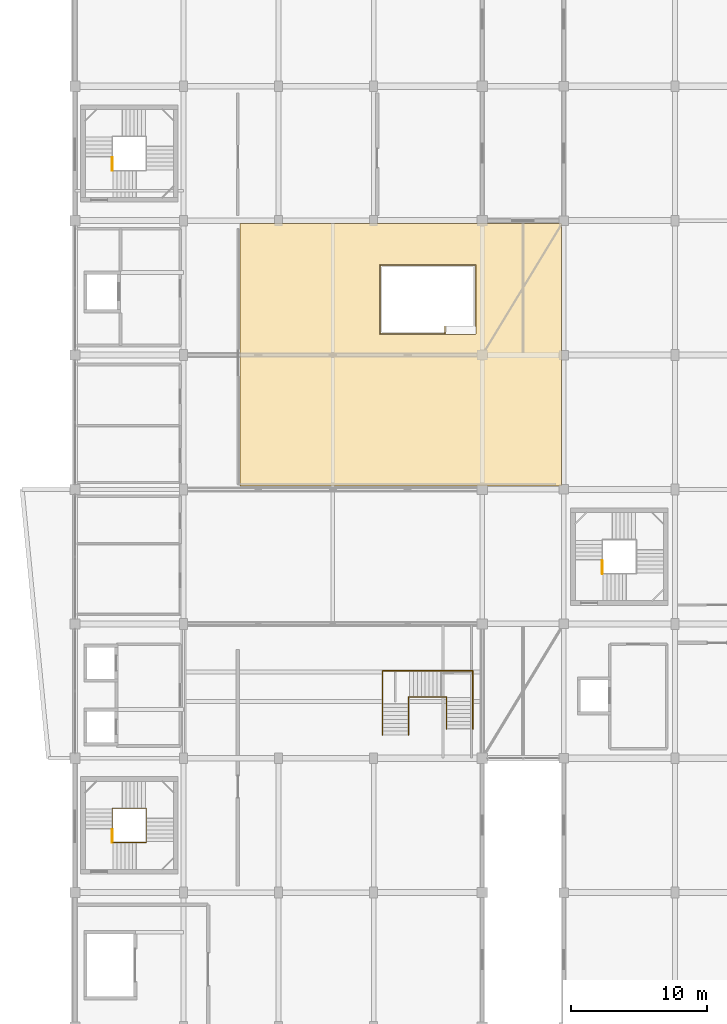
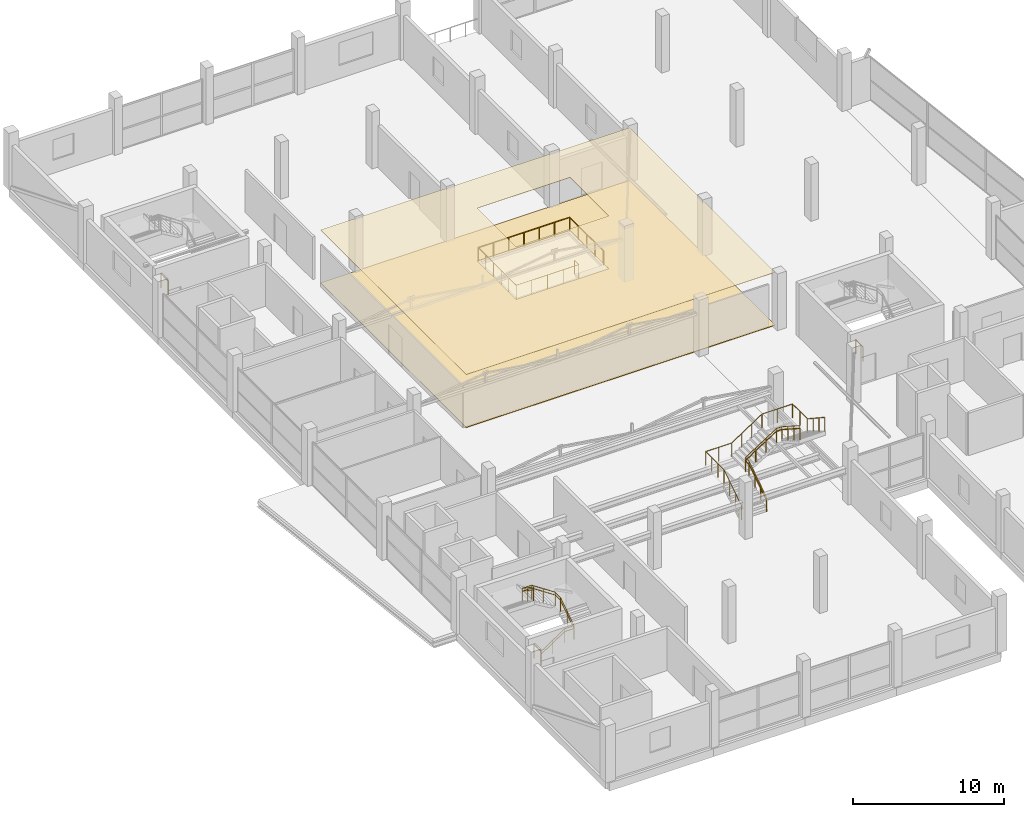
# One storey, part 54 of 55: 9 railings, 2 coverings.
"""IFC4 building model written with IfcOpenShell, lengths in metres."""

from ifc_helpers import new_model, si_unit, direction, frame, origin, origin_2d, place, context, subcontext, project, spatial, polyline, circle, outline, extrude, material, layer, layer_set, type_object, element, save


model = new_model("IFC4")

# Units and contexts
model_context = context("Model", 3, precision=1e-05, world=origin(), true_north=direction((0.0, 1.0)))
body_context = subcontext(model_context, "Body", "Model", "MODEL_VIEW")
ifc_project = project(units=[si_unit("LENGTHUNIT", "METRE"), si_unit("AREAUNIT", "SQUARE_METRE"), si_unit("VOLUMEUNIT", "CUBIC_METRE"), si_unit("PLANEANGLEUNIT", "RADIAN"), si_unit("MASSUNIT", "GRAM", prefix="KILO")], contexts=[model_context])

# Site, building, storey
site_placement = place(None, origin())
site = spatial("IfcSite", under=ifc_project, at=site_placement, CompositionType="ELEMENT")
building_placement = place(site_placement, origin())
building = spatial("IfcBuilding", under=site, at=building_placement, Name="Sillaruma Civic Art Gallery", CompositionType="ELEMENT")
storey_placement = place(building_placement, frame((0.0, 0.0, 37.739990234375)))
storey = spatial("IfcBuildingStorey", under=building, at=storey_placement, Name="L07", CompositionType="ELEMENT", Elevation=37.739990234375)

# Coverings
ifc_material_1 = material(Name="Gypsum Acoustic Board", Category="gypsum")
ifc_layer_1 = layer(ifc_material_1, 0.030029296875, Name="Gypsum Acoustic Board")
ifc_layer_set_1 = layer_set([ifc_layer_1], Name="Gypsum Acoustic Board")
covering_type_1 = type_object("IfcCoveringType", Name="COV-CLG-30", PredefinedType="CEILING", material=ifc_layer_set_1)
covering_1_placement = place(storey_placement, frame((0.0, 0.0, 4.280029296875)))
element("IfcCovering", 1, at=covering_1_placement, inside=storey, type_object=covering_type_1, Name="Acoustic Gallery Ceiling (L07-GAL71)", PredefinedType="CEILING", context=body_context, shape_type="SweptSolid", body=[
    extrude(outline(polyline([(74.159912109375, 78.989990234375), (97.840087890625, 78.989990234375), (97.840087890625, 59.659912109375), (74.159912109375, 59.659912109375), (74.159912109375, 78.989990234375)]), holes=[polyline([(91.511962890625, 70.830078125), (91.513916015625, 70.830322265625), (91.515869140625, 70.830810546875), (91.517578125, 70.83154296875), (91.519287109375, 70.83251953125), (91.52099609375, 70.83349609375), (91.522705078125, 70.83447265625), (91.524169921875, 70.8359375), (91.525390625, 70.83740234375), (91.526611328125, 70.8388671875), (91.527587890625, 70.840576171875), (91.528564453125, 70.84228515625), (91.529052734375, 70.84423828125), (91.529541015625, 70.84619140625), (91.52978515625, 70.847900390625), (91.530029296875, 70.85009765625), (91.530029296875, 75.949951171875), (91.52978515625, 75.951904296875), (91.529541015625, 75.953857421875), (91.529052734375, 75.955810546875), (91.528564453125, 75.957763671875), (91.527587890625, 75.95947265625), (91.526611328125, 75.961181640625), (91.525390625, 75.962646484375), (91.524169921875, 75.964111328125), (91.522705078125, 75.965576171875), (91.52099609375, 75.966552734375), (91.519287109375, 75.967529296875), (91.517578125, 75.968505859375), (91.515869140625, 75.968994140625), (91.513916015625, 75.969482421875), (91.511962890625, 75.969970703125), (91.510009765625, 75.969970703125), (84.449951171875, 75.969970703125), (84.447998046875, 75.969970703125), (84.446044921875, 75.969482421875), (84.444091796875, 75.968994140625), (84.4423828125, 75.968505859375), (84.440673828125, 75.967529296875), (84.43896484375, 75.966552734375), (84.437255859375, 75.965576171875), (84.435791015625, 75.964111328125), (84.4345703125, 75.962646484375), (84.433349609375, 75.961181640625), (84.432373046875, 75.95947265625), (84.431396484375, 75.957763671875), (84.430908203125, 75.955810546875), (84.430419921875, 75.953857421875), (84.43017578125, 75.951904296875), (84.429931640625, 75.949951171875), (84.429931640625, 70.85009765625), (84.43017578125, 70.847900390625), (84.430419921875, 70.84619140625), (84.430908203125, 70.84423828125), (84.431396484375, 70.84228515625), (84.432373046875, 70.840576171875), (84.433349609375, 70.8388671875), (84.4345703125, 70.83740234375), (84.435791015625, 70.8359375), (84.437255859375, 70.83447265625), (84.43896484375, 70.83349609375), (84.440673828125, 70.83251953125), (84.4423828125, 70.83154296875), (84.444091796875, 70.830810546875), (84.446044921875, 70.830322265625), (84.447998046875, 70.830078125), (84.449951171875, 70.830078125), (91.510009765625, 70.830078125), (91.511962890625, 70.830078125)])]), origin(), (0.0, 0.0, 1.0), 0.030029296875),
])
ifc_material_2 = material(Name="Basalt Paver Stone", Category="masonry")
ifc_layer_2 = layer(ifc_material_2, 0.034912109375, Name="Basalt Paver Stone")
ifc_layer_set_2 = layer_set([ifc_layer_2], Name="Basalt Paver Stone")
covering_type_2 = type_object("IfcCoveringType", Name="COV-FLR-35", PredefinedType="FLOORING", material=ifc_layer_set_2)
covering_2_placement = place(storey_placement, origin())
element("IfcCovering", 2, at=covering_2_placement, inside=storey, type_object=covering_type_2, Name="Gallery Stone Terrazzo Flooring (L07-GAL71)", PredefinedType="FLOORING", context=body_context, shape_type="SweptSolid", body=[
    extrude(outline(polyline([(74.159912109375, 78.989990234375), (97.840087890625, 78.989990234375), (97.840087890625, 59.659912109375), (74.159912109375, 59.659912109375), (74.159912109375, 78.989990234375)]), holes=[polyline([(91.511962890625, 70.830078125), (91.513916015625, 70.830322265625), (91.515869140625, 70.830810546875), (91.517578125, 70.83154296875), (91.519287109375, 70.83251953125), (91.52099609375, 70.83349609375), (91.522705078125, 70.83447265625), (91.524169921875, 70.8359375), (91.525390625, 70.83740234375), (91.526611328125, 70.8388671875), (91.527587890625, 70.840576171875), (91.528564453125, 70.84228515625), (91.529052734375, 70.84423828125), (91.529541015625, 70.84619140625), (91.52978515625, 70.847900390625), (91.530029296875, 70.85009765625), (91.530029296875, 75.949951171875), (91.52978515625, 75.951904296875), (91.529541015625, 75.953857421875), (91.529052734375, 75.955810546875), (91.528564453125, 75.957763671875), (91.527587890625, 75.95947265625), (91.526611328125, 75.961181640625), (91.525390625, 75.962646484375), (91.524169921875, 75.964111328125), (91.522705078125, 75.965576171875), (91.52099609375, 75.966552734375), (91.519287109375, 75.967529296875), (91.517578125, 75.968505859375), (91.515869140625, 75.968994140625), (91.513916015625, 75.969482421875), (91.511962890625, 75.969970703125), (91.510009765625, 75.969970703125), (84.449951171875, 75.969970703125), (84.447998046875, 75.969970703125), (84.446044921875, 75.969482421875), (84.444091796875, 75.968994140625), (84.4423828125, 75.968505859375), (84.440673828125, 75.967529296875), (84.43896484375, 75.966552734375), (84.437255859375, 75.965576171875), (84.435791015625, 75.964111328125), (84.4345703125, 75.962646484375), (84.433349609375, 75.961181640625), (84.432373046875, 75.95947265625), (84.431396484375, 75.957763671875), (84.430908203125, 75.955810546875), (84.430419921875, 75.953857421875), (84.43017578125, 75.951904296875), (84.429931640625, 75.949951171875), (84.429931640625, 70.85009765625), (84.43017578125, 70.847900390625), (84.430419921875, 70.84619140625), (84.430908203125, 70.84423828125), (84.431396484375, 70.84228515625), (84.432373046875, 70.840576171875), (84.433349609375, 70.8388671875), (84.4345703125, 70.83740234375), (84.435791015625, 70.8359375), (84.437255859375, 70.83447265625), (84.43896484375, 70.83349609375), (84.440673828125, 70.83251953125), (84.4423828125, 70.83154296875), (84.444091796875, 70.830810546875), (84.446044921875, 70.830322265625), (84.447998046875, 70.830078125), (84.449951171875, 70.830078125), (91.510009765625, 70.830078125), (91.511962890625, 70.830078125)])]), origin(), (0.0, 0.0, 1.0), 0.034912109375),
])

# Railings
ifc_material_3 = material(Name="Stainless Steel AISI 316", Category="steel")
railing_type_1 = type_object("IfcRailingType", Name="RAL-BAL-1150", PredefinedType="BALUSTRADE", material=ifc_material_3)
for number, where, name in (
    (3, (64.739990234375, 82.889892578125, 0.0), "Stair Floor Edge Guard (ST-02:L07)"),
    (4, (64.739990234375, 33.389892578125, 0.0), "Stair Floor Edge Guard (ST-03:L07)"),
):
    element("IfcRailing", number, at=place(storey_placement, frame(where)), inside=storey, type_object=railing_type_1, Name=name, PredefinedType="BALUSTRADE", context=body_context, shape_type="SweptSolid", body=[
        extrude(circle(Radius=0.02392578125, at=origin_2d()), frame((0.0, 0.0, 1.1259765625), z_axis=(0.0, 1.0, 0.0), x_axis=(-1.0, 0.0, 0.0)), (0.0, 0.0, 1.0), 0.97021484375),
        extrude(circle(Radius=0.02099609375, at=origin_2d()), origin(), (0.0, 0.0, 1.0), 1.101806640625),
        extrude(circle(Radius=0.02099609375, at=origin_2d()), frame((0.0, 0.97021484375, 0.0)), (0.0, 0.0, 1.0), 1.101806640625),
    ])
railing_1_placement = place(storey_placement, frame((64.739990234375, 33.389892578125, 0.0)))
element("IfcRailing", 5, at=railing_1_placement, inside=storey, type_object=railing_type_1, Name="Stair Well Balustrade (ST-03-L07)", PredefinedType="BALUSTRADE", context=body_context, shape_type="SweptSolid", body=[
    extrude(circle(Radius=0.02392578125, at=origin_2d()), frame((0.0, 0.0, 1.1259765625), z_axis=(0.834202413191, 0.0, 0.551458369984), x_axis=(0.0, 1.0, 0.0)), (0.0, 0.0, 1.0), 2.15771484375),
    extrude(circle(Radius=0.02392578125, at=origin_2d()), frame((1.800048828125, 0.0, 2.31591796875), z_axis=(1.0, 0.0, 0.0), x_axis=(0.0, 1.0, 0.0)), (0.0, 0.0, 1.0), 0.719970703125),
    extrude(circle(Radius=0.02392578125, at=origin_2d()), frame((2.52001953125, 0.0, 2.31591796875), z_axis=(0.0, 0.834150363844, 0.551537098025), x_axis=(-1.0, 0.0, 0.0)), (0.0, 0.0, 1.0), 2.157958984375),
    extrude(circle(Radius=0.02392578125, at=origin_2d()), frame((2.52001953125, 1.800048828125, 3.505859375), z_axis=(0.0, 1.0, 0.0), x_axis=(-1.0, 0.0, 0.0)), (0.0, 0.0, 1.0), 0.719970703125),
    extrude(circle(Radius=0.02392578125, at=origin_2d()), frame((2.52001953125, 2.52001953125, 3.505859375), z_axis=(-0.834202413191, 0.0, 0.551458369984), x_axis=(0.0, -1.0, 0.0)), (0.0, 0.0, 1.0), 2.15771484375),
    extrude(circle(Radius=0.02392578125, at=origin_2d()), frame((0.719970703125, 2.52001953125, 4.69580078125), z_axis=(-1.0, 0.0, 0.0), x_axis=(0.0, -1.0, 0.0)), (0.0, 0.0, 1.0), 0.719970703125),
    extrude(circle(Radius=0.02392578125, at=origin_2d()), frame((0.0, 2.52001953125, 4.69580078125), z_axis=(0.0, -0.828654473869, 0.559760451387), x_axis=(1.0, 0.0, 0.0)), (0.0, 0.0, 1.0), 1.822265625),
    extrude(circle(Radius=0.02099609375, at=origin_2d()), origin(), (0.0, 0.0, 1.0), 1.101806640625),
    extrude(circle(Radius=0.02099609375, at=origin_2d()), frame((0.89990234375, 0.0, 0.594970703125)), (0.0, 0.0, 1.0), 1.101806640625),
    extrude(circle(Radius=0.02099609375, at=origin_2d()), frame((1.800048828125, 0.0, 1.18994140625)), (0.0, 0.0, 1.0), 1.101806640625),
    extrude(circle(Radius=0.02099609375, at=origin_2d()), frame((2.52001953125, 0.0, 1.18994140625)), (0.0, 0.0, 1.0), 1.101806640625),
    extrude(circle(Radius=0.02099609375, at=origin_2d()), frame((2.52001953125, 0.89990234375, 1.78515625)), (0.0, 0.0, 1.0), 1.101806640625),
    extrude(circle(Radius=0.02099609375, at=origin_2d()), frame((2.52001953125, 1.800048828125, 2.380126953125)), (0.0, 0.0, 1.0), 1.101806640625),
    extrude(circle(Radius=0.02099609375, at=origin_2d()), frame((2.52001953125, 2.52001953125, 2.380126953125)), (0.0, 0.0, 1.0), 1.101806640625),
    extrude(circle(Radius=0.02099609375, at=origin_2d()), frame((1.6201171875, 2.52001953125, 2.97509765625)), (0.0, 0.0, 1.0), 1.101806640625),
    extrude(circle(Radius=0.02099609375, at=origin_2d()), frame((0.719970703125, 2.52001953125, 3.570068359375)), (0.0, 0.0, 1.0), 1.101806640625),
    extrude(circle(Radius=0.02099609375, at=origin_2d()), frame((0.0, 2.52001953125, 3.570068359375)), (0.0, 0.0, 1.0), 1.101806640625),
    extrude(circle(Radius=0.02099609375, at=origin_2d()), frame((0.0, 1.76513671875, 4.080078125)), (0.0, 0.0, 1.0), 1.101806640625),
    extrude(circle(Radius=0.02099609375, at=origin_2d()), frame((0.0, 1.010009765625, 4.590087890625)), (0.0, 0.0, 1.0), 1.101806640625),
])
railing_2_placement = place(storey_placement, frame((100.840087890625, 53.18994140625, 0.0)))
element("IfcRailing", 6, at=railing_2_placement, inside=storey, type_object=railing_type_1, Name="Stair Floor Edge Guard (ST-04:L07)", PredefinedType="BALUSTRADE", context=body_context, shape_type="SweptSolid", body=[
    extrude(circle(Radius=0.02392578125, at=origin_2d()), frame((0.0, 0.0, 1.1259765625), z_axis=(0.0, 1.0, 0.0), x_axis=(-1.0, 0.0, 0.0)), (0.0, 0.0, 1.0), 0.969970703125),
    extrude(circle(Radius=0.02099609375, at=origin_2d()), origin(), (0.0, 0.0, 1.0), 1.101806640625),
    extrude(circle(Radius=0.02099609375, at=origin_2d()), frame((0.0, 0.969970703125, 0.0)), (0.0, 0.0, 1.0), 1.101806640625),
])
railing_3_placement = place(storey_placement, frame((89.260009765625, 71.43994140625, 0.0)))
element("IfcRailing", 7, at=railing_3_placement, inside=storey, type_object=railing_type_1, Name="Feature Stair Arrival Well Balustrade (ST-G03)", PredefinedType="BALUSTRADE", context=body_context, shape_type="SweptSolid", body=[
    extrude(circle(Radius=0.02392578125, at=origin_2d()), frame((0.0, 0.0, 1.1259765625), z_axis=(0.0, -1.0, 0.0), x_axis=(1.0, 0.0, 0.0)), (0.0, 0.0, 1.0), 0.56005859375),
    extrude(circle(Radius=0.02392578125, at=origin_2d()), frame((0.0, -0.56005859375, 1.1259765625), z_axis=(-1.0, 0.0, 0.0), x_axis=(0.0, -1.0, 0.0)), (0.0, 0.0, 1.0), 4.780029296875),
    extrude(circle(Radius=0.02392578125, at=origin_2d()), frame((-4.780029296875, -0.56005859375, 1.1259765625), z_axis=(0.0, 1.0, 0.0), x_axis=(-1.0, 0.0, 0.0)), (0.0, 0.0, 1.0), 5.0400390625),
    extrude(circle(Radius=0.02392578125, at=origin_2d()), frame((-4.780029296875, 4.47998046875, 1.1259765625), z_axis=(1.0, 0.0, 0.0), x_axis=(0.0, 1.0, 0.0)), (0.0, 0.0, 1.0), 7.0),
    extrude(circle(Radius=0.02392578125, at=origin_2d()), frame((2.219970703125, 4.47998046875, 1.1259765625), z_axis=(0.0, -1.0, 0.0), x_axis=(1.0, 0.0, 0.0)), (0.0, 0.0, 1.0), 4.47998046875),
    extrude(circle(Radius=0.02099609375, at=origin_2d()), origin(), (0.0, 0.0, 1.0), 1.101806640625),
    extrude(circle(Radius=0.02099609375, at=origin_2d()), frame((0.0, -0.56005859375, 0.0)), (0.0, 0.0, 1.0), 1.101806640625),
    extrude(circle(Radius=0.02099609375, at=origin_2d()), frame((-1.195068359375, -0.56005859375, 0.0)), (0.0, 0.0, 1.0), 1.101806640625),
    extrude(circle(Radius=0.02099609375, at=origin_2d()), frame((-2.39013671875, -0.56005859375, 0.0)), (0.0, 0.0, 1.0), 1.101806640625),
    extrude(circle(Radius=0.02099609375, at=origin_2d()), frame((-3.5849609375, -0.56005859375, 0.0)), (0.0, 0.0, 1.0), 1.101806640625),
    extrude(circle(Radius=0.02099609375, at=origin_2d()), frame((-4.780029296875, -0.56005859375, 0.0)), (0.0, 0.0, 1.0), 1.101806640625),
    extrude(circle(Radius=0.02099609375, at=origin_2d()), frame((-4.780029296875, 0.447998046875, 0.0)), (0.0, 0.0, 1.0), 1.101806640625),
    extrude(circle(Radius=0.02099609375, at=origin_2d()), frame((-4.780029296875, 1.4560546875, 0.0)), (0.0, 0.0, 1.0), 1.101806640625),
    extrude(circle(Radius=0.02099609375, at=origin_2d()), frame((-4.780029296875, 2.4638671875, 0.0)), (0.0, 0.0, 1.0), 1.101806640625),
    extrude(circle(Radius=0.02099609375, at=origin_2d()), frame((-4.780029296875, 3.471923828125, 0.0)), (0.0, 0.0, 1.0), 1.101806640625),
    extrude(circle(Radius=0.02099609375, at=origin_2d()), frame((-4.780029296875, 4.47998046875, 0.0)), (0.0, 0.0, 1.0), 1.101806640625),
    extrude(circle(Radius=0.02099609375, at=origin_2d()), frame((-3.61328125, 4.47998046875, 0.0)), (0.0, 0.0, 1.0), 1.101806640625),
    extrude(circle(Radius=0.02099609375, at=origin_2d()), frame((-2.44677734375, 4.47998046875, 0.0)), (0.0, 0.0, 1.0), 1.101806640625),
    extrude(circle(Radius=0.02099609375, at=origin_2d()), frame((-1.280029296875, 4.47998046875, 0.0)), (0.0, 0.0, 1.0), 1.101806640625),
    extrude(circle(Radius=0.02099609375, at=origin_2d()), frame((-0.11328125, 4.47998046875, 0.0)), (0.0, 0.0, 1.0), 1.101806640625),
    extrude(circle(Radius=0.02099609375, at=origin_2d()), frame((1.05322265625, 4.47998046875, 0.0)), (0.0, 0.0, 1.0), 1.101806640625),
    extrude(circle(Radius=0.02099609375, at=origin_2d()), frame((2.219970703125, 4.47998046875, 0.0)), (0.0, 0.0, 1.0), 1.101806640625),
    extrude(circle(Radius=0.02099609375, at=origin_2d()), frame((2.219970703125, 3.35986328125, 0.0)), (0.0, 0.0, 1.0), 1.101806640625),
    extrude(circle(Radius=0.02099609375, at=origin_2d()), frame((2.219970703125, 2.239990234375, 0.0)), (0.0, 0.0, 1.0), 1.101806640625),
    extrude(circle(Radius=0.02099609375, at=origin_2d()), frame((2.219970703125, 1.1201171875, 0.0)), (0.0, 0.0, 1.0), 1.101806640625),
    extrude(circle(Radius=0.02099609375, at=origin_2d()), frame((2.219970703125, 0.0, 0.0)), (0.0, 0.0, 1.0), 1.101806640625),
])
railing_4_placement = place(storey_placement, frame((86.580078125, 41.300048828125, 0.0)))
element("IfcRailing", 8, at=railing_4_placement, inside=storey, type_object=railing_type_1, Name="Feature Stair Inner Guard (ST-G04)", PredefinedType="BALUSTRADE", context=body_context, shape_type="SweptSolid", body=[
    extrude(circle(Radius=0.02392578125, at=origin_2d()), frame((0.0, 0.0, 1.1259765625), z_axis=(0.0, 0.834810476361, 0.55053743611), x_axis=(-1.0, 0.0, 0.0)), (0.0, 0.0, 1.0), 2.779052734375),
    extrude(circle(Radius=0.02392578125, at=origin_2d()), frame((0.0, 2.320068359375, 2.65576171875), z_axis=(0.0, 1.0, 0.0), x_axis=(-1.0, 0.0, 0.0)), (0.0, 0.0, 1.0), 0.5),
    extrude(circle(Radius=0.02392578125, at=origin_2d()), frame((0.0, 2.820068359375, 2.65576171875), z_axis=(0.841161652958, 0.0, 0.540783758626), x_axis=(0.0, 1.0, 0.0)), (0.0, 0.0, 1.0), 2.829345703125),
    extrude(circle(Radius=0.02392578125, at=origin_2d()), frame((2.3798828125, 2.820068359375, 4.18603515625), z_axis=(1.0, 0.0, 0.0), x_axis=(0.0, 1.0, 0.0)), (0.0, 0.0, 1.0), 0.419921875),
    extrude(circle(Radius=0.02392578125, at=origin_2d()), frame((2.7998046875, 2.820068359375, 4.18603515625), z_axis=(0.0, -0.84118688567, 0.540744508411), x_axis=(1.0, 0.0, 0.0)), (0.0, 0.0, 1.0), 2.82958984375),
    extrude(circle(Radius=0.02099609375, at=origin_2d()), origin(), (0.0, 0.0, 1.0), 1.101806640625),
    extrude(circle(Radius=0.02099609375, at=origin_2d()), frame((0.0, 0.7734375, 0.510009765625)), (0.0, 0.0, 1.0), 1.101806640625),
    extrude(circle(Radius=0.02099609375, at=origin_2d()), frame((0.0, 1.546630859375, 1.02001953125)), (0.0, 0.0, 1.0), 1.101806640625),
    extrude(circle(Radius=0.02099609375, at=origin_2d()), frame((0.0, 2.320068359375, 1.530029296875)), (0.0, 0.0, 1.0), 1.101806640625),
    extrude(circle(Radius=0.02099609375, at=origin_2d()), frame((0.0, 2.820068359375, 1.530029296875)), (0.0, 0.0, 1.0), 1.101806640625),
    extrude(circle(Radius=0.02099609375, at=origin_2d()), frame((0.793212890625, 2.820068359375, 2.0400390625)), (0.0, 0.0, 1.0), 1.101806640625),
    extrude(circle(Radius=0.02099609375, at=origin_2d()), frame((1.586669921875, 2.820068359375, 2.550048828125)), (0.0, 0.0, 1.0), 1.101806640625),
    extrude(circle(Radius=0.02099609375, at=origin_2d()), frame((2.3798828125, 2.820068359375, 3.06005859375)), (0.0, 0.0, 1.0), 1.101806640625),
    extrude(circle(Radius=0.02099609375, at=origin_2d()), frame((2.7998046875, 2.820068359375, 3.06005859375)), (0.0, 0.0, 1.0), 1.101806640625),
    extrude(circle(Radius=0.02099609375, at=origin_2d()), frame((2.7998046875, 2.026611328125, 3.570068359375)), (0.0, 0.0, 1.0), 1.101806640625),
    extrude(circle(Radius=0.02099609375, at=origin_2d()), frame((2.7998046875, 1.2333984375, 4.080078125)), (0.0, 0.0, 1.0), 1.101806640625),
    extrude(circle(Radius=0.02099609375, at=origin_2d()), frame((2.7998046875, 0.43994140625, 4.590087890625)), (0.0, 0.0, 1.0), 1.101806640625),
])
railing_5_placement = place(storey_placement, frame((84.659912109375, 41.300048828125, 0.0)))
element("IfcRailing", 9, at=railing_5_placement, inside=storey, type_object=railing_type_1, Name="Feature Stair Outer Guard (ST-G04)", PredefinedType="BALUSTRADE", context=body_context, shape_type="SweptSolid", body=[
    extrude(circle(Radius=0.02392578125, at=origin_2d()), frame((0.0, 0.0, 1.1259765625), z_axis=(0.0, 0.834810476361, 0.55053743611), x_axis=(-1.0, 0.0, 0.0)), (0.0, 0.0, 1.0), 2.779052734375),
    extrude(circle(Radius=0.02392578125, at=origin_2d()), frame((0.0, 2.320068359375, 2.65576171875), z_axis=(0.0, 1.0, 0.0), x_axis=(-1.0, 0.0, 0.0)), (0.0, 0.0, 1.0), 2.419921875),
    extrude(circle(Radius=0.02392578125, at=origin_2d()), frame((0.0, 4.739990234375, 2.65576171875), z_axis=(1.0, 0.0, 0.0), x_axis=(0.0, 1.0, 0.0)), (0.0, 0.0, 1.0), 1.97998046875),
    extrude(circle(Radius=0.02392578125, at=origin_2d()), frame((1.97998046875, 4.739990234375, 2.65576171875), z_axis=(0.834810476361, 0.0, 0.55053743611), x_axis=(0.0, 1.0, 0.0)), (0.0, 0.0, 1.0), 2.779052734375),
    extrude(circle(Radius=0.02392578125, at=origin_2d()), frame((4.300048828125, 4.739990234375, 4.18603515625), z_axis=(1.0, 0.0, 0.0), x_axis=(0.0, 1.0, 0.0)), (0.0, 0.0, 1.0), 2.340087890625),
    extrude(circle(Radius=0.02392578125, at=origin_2d()), frame((6.64013671875, 4.739990234375, 4.18603515625), z_axis=(0.0, -1.0, 0.0), x_axis=(1.0, 0.0, 0.0)), (0.0, 0.0, 1.0), 1.97998046875),
    extrude(circle(Radius=0.02392578125, at=origin_2d()), frame((6.64013671875, 2.760009765625, 4.18603515625), z_axis=(0.0, -0.834810476361, 0.55053743611), x_axis=(1.0, 0.0, 0.0)), (0.0, 0.0, 1.0), 2.779052734375),
    extrude(circle(Radius=0.02099609375, at=origin_2d()), origin(), (0.0, 0.0, 1.0), 1.101806640625),
    extrude(circle(Radius=0.02099609375, at=origin_2d()), frame((0.0, 0.7734375, 0.510009765625)), (0.0, 0.0, 1.0), 1.101806640625),
    extrude(circle(Radius=0.02099609375, at=origin_2d()), frame((0.0, 1.546630859375, 1.02001953125)), (0.0, 0.0, 1.0), 1.101806640625),
    extrude(circle(Radius=0.02099609375, at=origin_2d()), frame((0.0, 2.320068359375, 1.530029296875)), (0.0, 0.0, 1.0), 1.101806640625),
    extrude(circle(Radius=0.02099609375, at=origin_2d()), frame((0.0, 3.126708984375, 1.530029296875)), (0.0, 0.0, 1.0), 1.101806640625),
    extrude(circle(Radius=0.02099609375, at=origin_2d()), frame((0.0, 3.933349609375, 1.530029296875)), (0.0, 0.0, 1.0), 1.101806640625),
    extrude(circle(Radius=0.02099609375, at=origin_2d()), frame((0.0, 4.739990234375, 1.530029296875)), (0.0, 0.0, 1.0), 1.101806640625),
    extrude(circle(Radius=0.02099609375, at=origin_2d()), frame((0.989990234375, 4.739990234375, 1.530029296875)), (0.0, 0.0, 1.0), 1.101806640625),
    extrude(circle(Radius=0.02099609375, at=origin_2d()), frame((1.97998046875, 4.739990234375, 1.530029296875)), (0.0, 0.0, 1.0), 1.101806640625),
    extrude(circle(Radius=0.02099609375, at=origin_2d()), frame((2.75341796875, 4.739990234375, 2.0400390625)), (0.0, 0.0, 1.0), 1.101806640625),
    extrude(circle(Radius=0.02099609375, at=origin_2d()), frame((3.526611328125, 4.739990234375, 2.550048828125)), (0.0, 0.0, 1.0), 1.101806640625),
    extrude(circle(Radius=0.02099609375, at=origin_2d()), frame((4.300048828125, 4.739990234375, 3.06005859375)), (0.0, 0.0, 1.0), 1.101806640625),
    extrude(circle(Radius=0.02099609375, at=origin_2d()), frame((5.47021484375, 4.739990234375, 3.06005859375)), (0.0, 0.0, 1.0), 1.101806640625),
    extrude(circle(Radius=0.02099609375, at=origin_2d()), frame((6.64013671875, 4.739990234375, 3.06005859375)), (0.0, 0.0, 1.0), 1.101806640625),
    extrude(circle(Radius=0.02099609375, at=origin_2d()), frame((6.64013671875, 3.75, 3.06005859375)), (0.0, 0.0, 1.0), 1.101806640625),
    extrude(circle(Radius=0.02099609375, at=origin_2d()), frame((6.64013671875, 2.760009765625, 3.06005859375)), (0.0, 0.0, 1.0), 1.101806640625),
    extrude(circle(Radius=0.02099609375, at=origin_2d()), frame((6.64013671875, 1.986572265625, 3.570068359375)), (0.0, 0.0, 1.0), 1.101806640625),
    extrude(circle(Radius=0.02099609375, at=origin_2d()), frame((6.64013671875, 1.21337890625, 4.080078125)), (0.0, 0.0, 1.0), 1.101806640625),
    extrude(circle(Radius=0.02099609375, at=origin_2d()), frame((6.64013671875, 0.43994140625, 4.590087890625)), (0.0, 0.0, 1.0), 1.101806640625),
])
railing_type_2 = type_object("IfcRailingType", Name="RAL-HND-920", PredefinedType="HANDRAIL", material=ifc_material_3)
railing_6_placement = place(storey_placement, frame((64.739990234375, 33.389892578125, 0.0)))
element("IfcRailing", 10, at=railing_6_placement, inside=storey, type_object=railing_type_2, Name="Stair Continuous Handrail (ST-03-L07)", PredefinedType="HANDRAIL", context=body_context, shape_type="SweptSolid", body=[
    extrude(circle(Radius=0.02392578125, at=origin_2d()), frame((0.0, 0.0, 0.89599609375), z_axis=(0.834202413191, 0.0, 0.551458369984), x_axis=(0.0, 1.0, 0.0)), (0.0, 0.0, 1.0), 2.15771484375),
    extrude(circle(Radius=0.02392578125, at=origin_2d()), frame((1.800048828125, 0.0, 2.0859375), z_axis=(1.0, 0.0, 0.0), x_axis=(0.0, 1.0, 0.0)), (0.0, 0.0, 1.0), 0.719970703125),
    extrude(circle(Radius=0.02392578125, at=origin_2d()), frame((2.52001953125, 0.0, 2.0859375), z_axis=(0.0, 0.834150363844, 0.551537098025), x_axis=(-1.0, 0.0, 0.0)), (0.0, 0.0, 1.0), 2.157958984375),
    extrude(circle(Radius=0.02392578125, at=origin_2d()), frame((2.52001953125, 1.800048828125, 3.27587890625), z_axis=(0.0, 1.0, 0.0), x_axis=(-1.0, 0.0, 0.0)), (0.0, 0.0, 1.0), 0.719970703125),
    extrude(circle(Radius=0.02392578125, at=origin_2d()), frame((2.52001953125, 2.52001953125, 3.27587890625), z_axis=(-0.834202413191, 0.0, 0.551458369984), x_axis=(0.0, -1.0, 0.0)), (0.0, 0.0, 1.0), 2.15771484375),
    extrude(circle(Radius=0.02392578125, at=origin_2d()), frame((0.719970703125, 2.52001953125, 4.4658203125), z_axis=(-1.0, 0.0, 0.0), x_axis=(0.0, -1.0, 0.0)), (0.0, 0.0, 1.0), 0.719970703125),
    extrude(circle(Radius=0.02392578125, at=origin_2d()), frame((0.0, 2.52001953125, 4.4658203125), z_axis=(0.0, -0.828654473869, 0.559760451387), x_axis=(1.0, 0.0, 0.0)), (0.0, 0.0, 1.0), 1.822265625),
    extrude(circle(Radius=0.02099609375, at=origin_2d()), origin(), (0.0, 0.0, 1.0), 0.871826171875),
    extrude(circle(Radius=0.02099609375, at=origin_2d()), frame((0.89990234375, 0.0, 0.594970703125)), (0.0, 0.0, 1.0), 0.871826171875),
    extrude(circle(Radius=0.02099609375, at=origin_2d()), frame((1.800048828125, 0.0, 1.18994140625)), (0.0, 0.0, 1.0), 0.871826171875),
    extrude(circle(Radius=0.02099609375, at=origin_2d()), frame((2.52001953125, 0.0, 1.18994140625)), (0.0, 0.0, 1.0), 0.871826171875),
    extrude(circle(Radius=0.02099609375, at=origin_2d()), frame((2.52001953125, 0.89990234375, 1.78515625)), (0.0, 0.0, 1.0), 0.871826171875),
    extrude(circle(Radius=0.02099609375, at=origin_2d()), frame((2.52001953125, 1.800048828125, 2.380126953125)), (0.0, 0.0, 1.0), 0.871826171875),
    extrude(circle(Radius=0.02099609375, at=origin_2d()), frame((2.52001953125, 2.52001953125, 2.380126953125)), (0.0, 0.0, 1.0), 0.871826171875),
    extrude(circle(Radius=0.02099609375, at=origin_2d()), frame((1.6201171875, 2.52001953125, 2.97509765625)), (0.0, 0.0, 1.0), 0.871826171875),
    extrude(circle(Radius=0.02099609375, at=origin_2d()), frame((0.719970703125, 2.52001953125, 3.570068359375)), (0.0, 0.0, 1.0), 0.871826171875),
    extrude(circle(Radius=0.02099609375, at=origin_2d()), frame((0.0, 2.52001953125, 3.570068359375)), (0.0, 0.0, 1.0), 0.871826171875),
    extrude(circle(Radius=0.02099609375, at=origin_2d()), frame((0.0, 1.76513671875, 4.080078125)), (0.0, 0.0, 1.0), 0.871826171875),
    extrude(circle(Radius=0.02099609375, at=origin_2d()), frame((0.0, 1.010009765625, 4.590087890625)), (0.0, 0.0, 1.0), 0.871826171875),
])
railing_7_placement = place(storey_placement, frame((86.580078125, 41.300048828125, 0.0)))
element("IfcRailing", 11, at=railing_7_placement, inside=storey, type_object=railing_type_2, Name="Feature Stair Handrail (ST-G04)", PredefinedType="HANDRAIL", context=body_context, shape_type="SweptSolid", body=[
    extrude(circle(Radius=0.02392578125, at=origin_2d()), frame((0.0, 0.0, 0.89599609375), z_axis=(0.0, 0.834810476361, 0.55053743611), x_axis=(-1.0, 0.0, 0.0)), (0.0, 0.0, 1.0), 2.779052734375),
    extrude(circle(Radius=0.02392578125, at=origin_2d()), frame((0.0, 2.320068359375, 2.42578125), z_axis=(0.0, 1.0, 0.0), x_axis=(-1.0, 0.0, 0.0)), (0.0, 0.0, 1.0), 0.5),
    extrude(circle(Radius=0.02392578125, at=origin_2d()), frame((0.0, 2.820068359375, 2.42578125), z_axis=(0.841161652958, 0.0, 0.540783758626), x_axis=(0.0, 1.0, 0.0)), (0.0, 0.0, 1.0), 2.829345703125),
    extrude(circle(Radius=0.02392578125, at=origin_2d()), frame((2.3798828125, 2.820068359375, 3.9560546875), z_axis=(1.0, 0.0, 0.0), x_axis=(0.0, 1.0, 0.0)), (0.0, 0.0, 1.0), 0.419921875),
    extrude(circle(Radius=0.02392578125, at=origin_2d()), frame((2.7998046875, 2.820068359375, 3.9560546875), z_axis=(0.0, -0.84118688567, 0.540744508411), x_axis=(1.0, 0.0, 0.0)), (0.0, 0.0, 1.0), 2.82958984375),
    extrude(circle(Radius=0.02099609375, at=origin_2d()), origin(), (0.0, 0.0, 1.0), 0.871826171875),
    extrude(circle(Radius=0.02099609375, at=origin_2d()), frame((0.0, 0.7734375, 0.510009765625)), (0.0, 0.0, 1.0), 0.871826171875),
    extrude(circle(Radius=0.02099609375, at=origin_2d()), frame((0.0, 1.546630859375, 1.02001953125)), (0.0, 0.0, 1.0), 0.871826171875),
    extrude(circle(Radius=0.02099609375, at=origin_2d()), frame((0.0, 2.320068359375, 1.530029296875)), (0.0, 0.0, 1.0), 0.871826171875),
    extrude(circle(Radius=0.02099609375, at=origin_2d()), frame((0.0, 2.820068359375, 1.530029296875)), (0.0, 0.0, 1.0), 0.871826171875),
    extrude(circle(Radius=0.02099609375, at=origin_2d()), frame((0.793212890625, 2.820068359375, 2.0400390625)), (0.0, 0.0, 1.0), 0.871826171875),
    extrude(circle(Radius=0.02099609375, at=origin_2d()), frame((1.586669921875, 2.820068359375, 2.550048828125)), (0.0, 0.0, 1.0), 0.871826171875),
    extrude(circle(Radius=0.02099609375, at=origin_2d()), frame((2.3798828125, 2.820068359375, 3.06005859375)), (0.0, 0.0, 1.0), 0.871826171875),
    extrude(circle(Radius=0.02099609375, at=origin_2d()), frame((2.7998046875, 2.820068359375, 3.06005859375)), (0.0, 0.0, 1.0), 0.871826171875),
    extrude(circle(Radius=0.02099609375, at=origin_2d()), frame((2.7998046875, 2.026611328125, 3.570068359375)), (0.0, 0.0, 1.0), 0.871826171875),
    extrude(circle(Radius=0.02099609375, at=origin_2d()), frame((2.7998046875, 1.2333984375, 4.080078125)), (0.0, 0.0, 1.0), 0.871826171875),
    extrude(circle(Radius=0.02099609375, at=origin_2d()), frame((2.7998046875, 0.43994140625, 4.590087890625)), (0.0, 0.0, 1.0), 0.871826171875),
])

save(model, "model.ifc")
